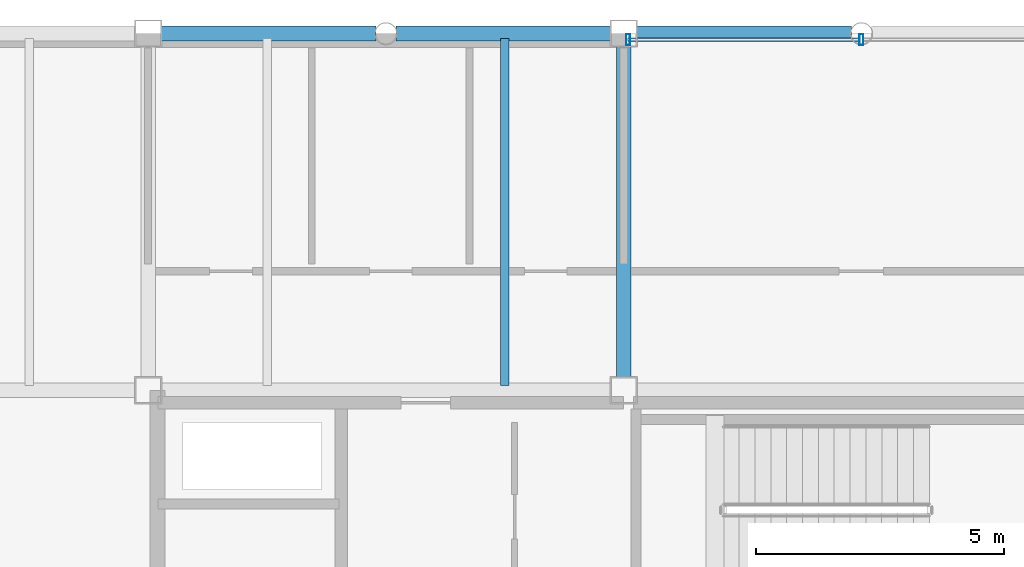
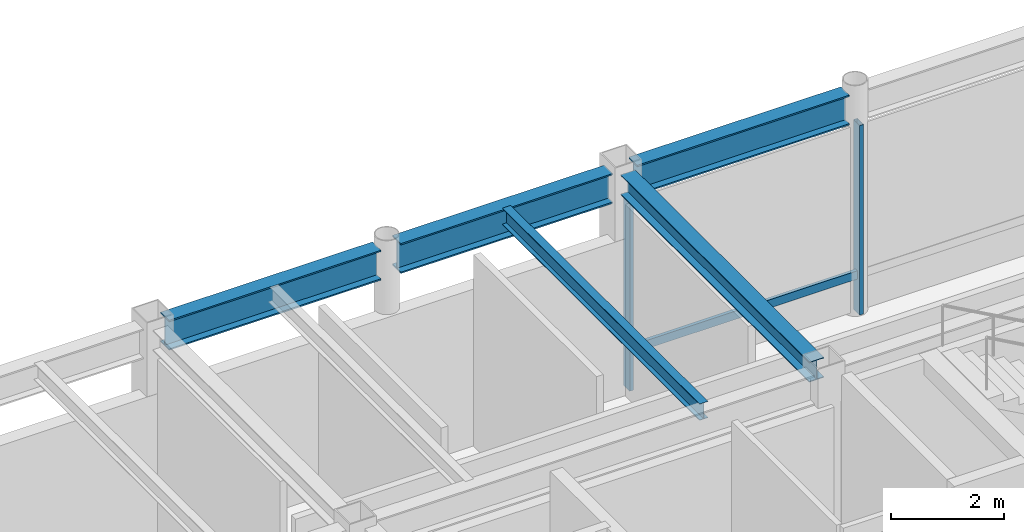
# One storey, part 13 of 21: 5 beams, 3 members, 1 element without a shape of its own.
"""IFC4 building model written with IfcOpenShell, lengths in metres."""

from ifc_helpers import new_model, si_unit, direction, frame, origin, origin_2d, place, context, subcontext, project, spatial, hollow_rectangle, i_section, extrude, material, layer, layer_set, material_profile, profile_set, type_object, element, aggregate, save


model = new_model("IFC4")

# Units and contexts
model_context = context("Model", 3, precision=1e-05, world=origin(), true_north=direction((0.0, 1.0)))
body_context = subcontext(model_context, "Body", "Model", "MODEL_VIEW")
ifc_project = project(units=[si_unit("LENGTHUNIT", "METRE"), si_unit("AREAUNIT", "SQUARE_METRE"), si_unit("VOLUMEUNIT", "CUBIC_METRE"), si_unit("PLANEANGLEUNIT", "RADIAN"), si_unit("MASSUNIT", "GRAM", prefix="KILO")], contexts=[model_context])

# Site, building, storey
site_placement = place(None, origin())
site = spatial("IfcSite", under=ifc_project, at=site_placement, CompositionType="ELEMENT")
building_placement = place(site_placement, origin())
building = spatial("IfcBuilding", under=site, at=building_placement, Name="Kallvorn Hotel Tower", CompositionType="ELEMENT")
storey_placement = place(building_placement, frame((0.0, 0.0, 295.60009765625)))
storey = spatial("IfcBuildingStorey", under=building, at=storey_placement, Name="L73", CompositionType="ELEMENT", Elevation=295.60009765625)

# Beams
ifc_material_1 = material(Name="Structural steel S355JR", Category="steel")
ifc_material_profile_1 = material_profile(ifc_material_1, i_section(OverallWidth=0.300048828125, OverallDepth=0.43994140625, WebThickness=0.011474609375, FlangeThickness=0.02099609375, at=origin_2d()), Name="HE 450 A")
ifc_profile_set_1 = profile_set([ifc_material_profile_1], Name="Structural steel S355JR")
beam_type_1 = type_object("IfcBeamType", Name="BM_HE450A", PredefinedType="BEAM", material=ifc_profile_set_1)
beam_1_placement = place(storey_placement, frame((-4.800048828125, 7.449951171875, 4.579833984375), z_axis=(0.0, 1.0, 0.0), x_axis=(-1.0, 0.0, 0.0)))
element("IfcBeam", 1, at=beam_1_placement, inside=storey, type_object=beam_type_1, Name="L74 Primary Y-Girder 39", PredefinedType="BEAM", context=body_context, shape_type="SweptSolid", body=[
    extrude(i_section(OverallWidth=0.300048828125, OverallDepth=0.43994140625, WebThickness=0.011474609375, FlangeThickness=0.02099609375, at=origin_2d()), origin(), (0.0, 0.0, 1.0), 6.699951171875),
])
ifc_material_2 = material(Name="Structural steel S355JR", Category="steel")
ifc_material_profile_2 = material_profile(ifc_material_2, i_section(OverallWidth=0.300048828125, OverallDepth=0.64990234375, WebThickness=0.01611328125, FlangeThickness=0.031005859375, at=origin_2d()), Name="HE 650 B")
ifc_profile_set_2 = profile_set([ifc_material_profile_2], Name="Structural steel S355JR")
beam_type_2 = type_object("IfcBeamType", Name="BM_HE650B", PredefinedType="BEAM", material=ifc_profile_set_2)
for number, where, z_axis, x_axis, name in (
    (2, (-14.14990234375, 14.39990234375, 4.474853515625), (1.0, 0.0, 0.0), (0.0, 1.0, 0.0), "L74 Primary X-Girder 18"),
    (3, (-9.396484375, 14.39990234375, 4.474853515625), (1.0, 0.0, 0.0), (0.0, 1.0, 0.0), "L74 Primary X-Girder 19"),
    (4, (-4.550048828125, 14.39990234375, 4.474853515625), (1.0, 0.0, 0.0), (0.0, 1.0, 0.0), "L74 Primary X-Girder 20"),
):
    element("IfcBeam", number, at=place(storey_placement, frame(where, z_axis=z_axis, x_axis=x_axis)), inside=storey, type_object=beam_type_2, Name=name, PredefinedType="BEAM", context=body_context, shape_type="SweptSolid", body=[
        extrude(i_section(OverallWidth=0.300048828125, OverallDepth=0.64990234375, WebThickness=0.01611328125, FlangeThickness=0.031005859375, at=origin_2d()), origin(), (0.0, 0.0, 1.0), 4.346435546875),
    ])
ifc_material_3 = material(Name="Structural steel S355JR", Category="steel")
ifc_material_profile_3 = material_profile(ifc_material_3, i_section(OverallWidth=0.169921875, OverallDepth=0.360107421875, WebThickness=0.008056640625, FlangeThickness=0.0126953125, at=origin_2d()), Name="IPE 360")
ifc_profile_set_3 = profile_set([ifc_material_profile_3], Name="Structural steel S355JR")
beam_type_3 = type_object("IfcBeamType", Name="BM_IPE360", PredefinedType="JOIST", material=ifc_profile_set_3)
beam_2_placement = place(storey_placement, frame((-7.199951171875, 7.300048828125, 4.619873046875), z_axis=(0.0, 1.0, 0.0), x_axis=(-1.0, 0.0, 0.0)))
element("IfcBeam", 5, at=beam_2_placement, inside=storey, type_object=beam_type_3, Name="L74 Secondary Composite Joist 97", PredefinedType="JOIST", context=body_context, shape_type="SweptSolid", body=[
    extrude(i_section(OverallWidth=0.169921875, OverallDepth=0.360107421875, WebThickness=0.008056640625, FlangeThickness=0.0126953125, at=origin_2d()), origin(), (0.0, 0.0, 1.0), 7.0),
])

# Curtain wall, members
ifc_material_4 = material(Name="Thermally broken black-anodised aluminium AA 6063-T6", Category="aluminium")
ifc_layer = layer(ifc_material_4, 0.25)
ifc_layer_set = layer_set([ifc_layer], Name="CW_SYS_6_SUMMIT_OBS")
curtain_wall_type = type_object("IfcCurtainWallType", Name="CW_SYS_6_SUMMIT_OBS", PredefinedType="USERDEFINED", material=ifc_layer_set)
curtain_wall_placement = place(storey_placement, origin())
curtain_wall = element("IfcCurtainWall", 6, at=curtain_wall_placement, inside=storey, type_object=curtain_wall_type, Name="L73 Dark-Glass Curtain Wall CW-L73-NC", ObjectType="UNITISED CURTAIN WALL", PredefinedType="USERDEFINED")
ifc_material_5 = material(Name="Thermally broken black-anodised aluminium AA 6063-T6", Category="aluminium")
ifc_material_profile_4 = material_profile(ifc_material_5, hollow_rectangle(XDim=0.080078125, YDim=0.219970703125, WallThickness=0.0048828125, at=origin_2d()), Name="MUL 220x80")
ifc_profile_set_4 = profile_set([ifc_material_profile_4], Name="Thermally broken black-anodised aluminium AA 6063-T6")
member_type_1 = type_object("IfcMemberType", Name="CW_MULLION_220x80", PredefinedType="MULLION", material=ifc_profile_set_4)
member_1_placement = place(storey_placement, frame((-4.7099609375, 14.280029296875, 0.02001953125), z_axis=(0.0, 0.0, 1.0), x_axis=(1.0, 0.0, 0.0)))
member_1 = element("IfcMember", 7, at=member_1_placement, type_object=member_type_1, Name="CW-L73-NC Mullion 00", PredefinedType="MULLION", context=body_context, shape_type="SweptSolid", body=[
    extrude(hollow_rectangle(XDim=0.080078125, YDim=0.219970703125, WallThickness=0.0048828125, at=origin_2d()), origin(), (0.0, 0.0, 1.0), 4.10986328125),
])
member_2_placement = place(storey_placement, frame((0.0, 14.280029296875, 0.02001953125), z_axis=(0.0, 0.0, 1.0), x_axis=(1.0, 0.0, 0.0)))
member_2 = element("IfcMember", 8, at=member_2_placement, type_object=member_type_1, Name="CW-L73-NC Mullion 01", PredefinedType="MULLION", context=body_context, shape_type="SweptSolid", body=[
    extrude(hollow_rectangle(XDim=0.080078125, YDim=0.219970703125, WallThickness=0.0048828125, at=origin_2d()), origin(), (0.0, 0.0, 1.0), 4.10986328125),
])
ifc_material_6 = material(Name="Thermally broken black-anodised aluminium AA 6063-T6", Category="aluminium")
ifc_material_profile_5 = material_profile(ifc_material_6, hollow_rectangle(XDim=0.070068359375, YDim=0.179931640625, WallThickness=0.00390625, at=origin_2d()), Name="TRN 180x70")
ifc_profile_set_5 = profile_set([ifc_material_profile_5], Name="Thermally broken black-anodised aluminium AA 6063-T6")
member_type_2 = type_object("IfcMemberType", Name="CW_TRANSOM_180x70", PredefinedType="USERDEFINED", material=ifc_profile_set_5)
member_3_placement = place(storey_placement, frame((-4.7099609375, 14.280029296875, 0.849853515625), z_axis=(1.0, 0.0, 0.0), x_axis=(0.0, 1.0, 0.0)))
member_3 = element("IfcMember", 9, at=member_3_placement, type_object=member_type_2, Name="CW-L73-NC Transom 00M", ObjectType="TRANSOM", PredefinedType="USERDEFINED", context=body_context, shape_type="SweptSolid", body=[
    extrude(hollow_rectangle(XDim=0.070068359375, YDim=0.179931640625, WallThickness=0.00390625, at=origin_2d()), origin(), (0.0, 0.0, 1.0), 4.669921875),
])
aggregate(curtain_wall, [member_1, member_2, member_3])

save(model, "model.ifc")
